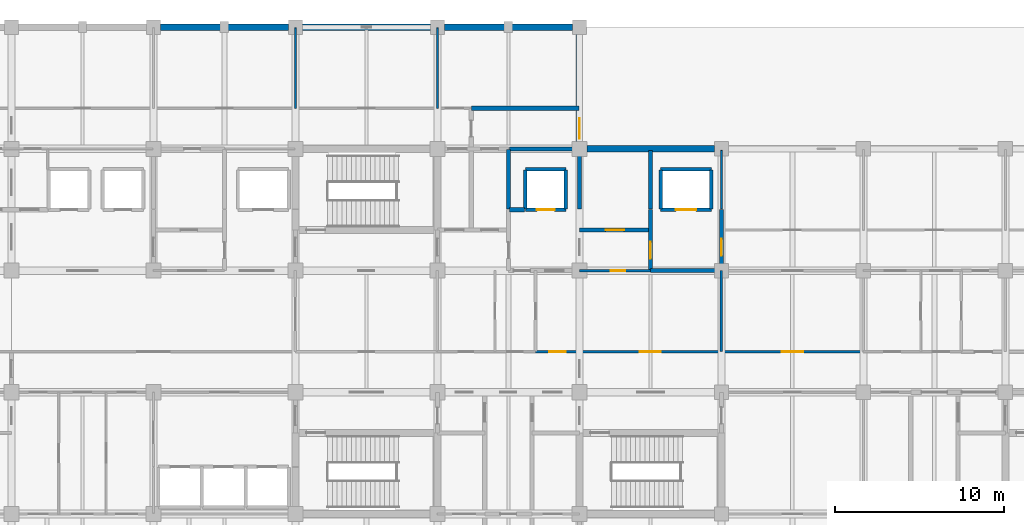
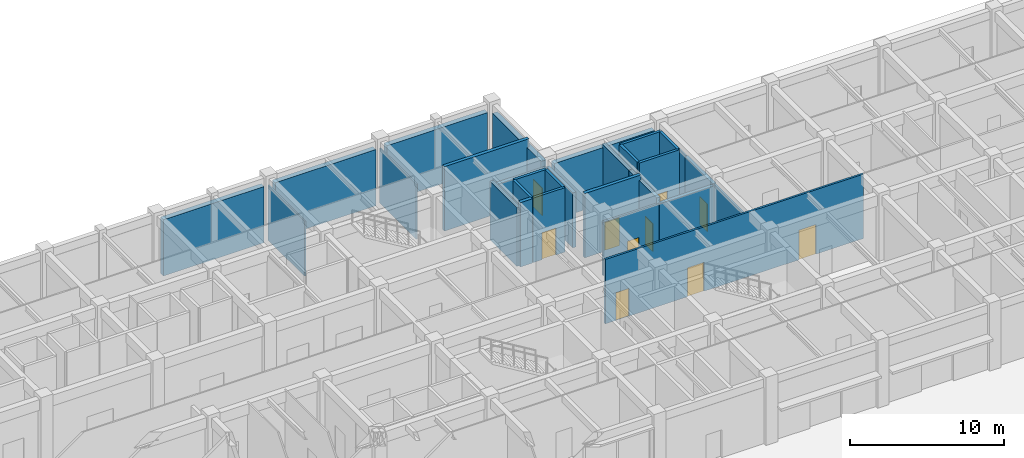
# One storey, part 53 of 73: 29 walls, 10 doors, 10 openings.
"""IFC4 building model written with IfcOpenShell, lengths in metres."""

from ifc_helpers import new_model, si_unit, direction, frame, frame_2d, origin, place, context, subcontext, project, spatial, rectangle, extrude, material, layer, layer_set, type_object, element, fill, save


model = new_model("IFC4")

# Units and contexts
model_context = context("Model", 3, precision=1e-05, world=origin(), true_north=direction((0.0, 1.0)))
body_context = subcontext(model_context, "Body", "Model", "MODEL_VIEW")
ifc_project = project(units=[si_unit("LENGTHUNIT", "METRE"), si_unit("AREAUNIT", "SQUARE_METRE"), si_unit("VOLUMEUNIT", "CUBIC_METRE"), si_unit("PLANEANGLEUNIT", "RADIAN"), si_unit("MASSUNIT", "GRAM", prefix="KILO")], contexts=[model_context])

# Site, building, storey
site_placement = place(None, origin())
site = spatial("IfcSite", under=ifc_project, at=site_placement, CompositionType="ELEMENT")
building_placement = place(site_placement, origin())
building = spatial("IfcBuilding", under=site, at=building_placement, Name="Chengyuan Square Courthouse", CompositionType="ELEMENT")
storey_placement = place(building_placement, origin())
storey = spatial("IfcBuildingStorey", under=building, at=storey_placement, Name="L01", CompositionType="ELEMENT", Elevation=0.0)

# Walls
ifc_material_1 = material(Name="Concrete C40", Category="concrete")
ifc_layer_1 = layer(ifc_material_1, 0.3798828125)
ifc_layer_set_1 = layer_set([ifc_layer_1], Name="Concrete C40")
wall_type_1 = type_object("IfcWallType", Name="WL-EW1", PredefinedType="STANDARD", material=ifc_layer_set_1)
wall_1_placement = place(storey_placement, frame((92.820068359375, 115.199951171875, 0.0), z_axis=(0.0, 0.0, 1.0), x_axis=(1.0, 0.0, 0.0)))
element("IfcWall", 1, at=wall_1_placement, inside=storey, type_object=wall_type_1, Name="Exterior Wall WL-L01-E178", PredefinedType="STANDARD", context=body_context, shape_type="SweptSolid", body=[
    extrude(rectangle(XDim=7.559814453125, YDim=0.3798828125, at=frame_2d((3.77978515625, 0.0))), origin(), (0.0, 0.0, 1.0), 4.469970703125),
])
wall_2_placement = place(storey_placement, frame((101.219970703125, 115.199951171875, 0.0), z_axis=(0.0, 0.0, 1.0), x_axis=(1.0, 0.0, 0.0)))
element("IfcWall", 2, at=wall_2_placement, inside=storey, type_object=wall_type_1, Name="Exterior Wall WL-L01-E179", PredefinedType="STANDARD", context=body_context, shape_type="SweptSolid", body=[
    extrude(rectangle(XDim=7.56005859375, YDim=0.3798828125, at=frame_2d((3.780029296875, 0.0))), origin(), (0.0, 0.0, 1.0), 4.469970703125),
])
wall_3_placement = place(storey_placement, frame((109.6201171875, 115.199951171875, 0.0), z_axis=(0.0, 0.0, 1.0), x_axis=(1.0, 0.0, 0.0)))
element("IfcWall", 3, at=wall_3_placement, inside=storey, type_object=wall_type_1, Name="Exterior Wall WL-L01-E181", PredefinedType="STANDARD", context=body_context, shape_type="SweptSolid", body=[
    extrude(rectangle(XDim=7.559814453125, YDim=0.3798828125, at=frame_2d((3.77978515625, 0.0))), origin(), (0.0, 0.0, 1.0), 4.469970703125),
])

# Wall, opening, door
wall_4_placement = place(storey_placement, frame((117.60009765625, 108.445068359375, 0.0), z_axis=(0.0, 0.0, 1.0), x_axis=(0.0, 1.0, 0.0)))
wall_4 = element("IfcWall", 4, at=wall_4_placement, inside=storey, type_object=wall_type_1, Name="Exterior Wall WL-L01-E182", PredefinedType="STANDARD", context=body_context, shape_type="SweptSolid", body=[
    extrude(rectangle(XDim=6.3349609375, YDim=0.3798828125, at=frame_2d((3.16748046875, 0.0))), origin(), (0.0, 0.0, 1.0), 4.469970703125),
])
opening_1_placement = place(wall_4_placement, frame((0.155029296875, 0.0, 0.0)))
opening_1 = element("IfcOpeningElement", 5, at=opening_1_placement, cuts=wall_4, Name="Opening E-24", PredefinedType="OPENING", context=body_context, shape_type="SweptSolid", body=[
    extrude(rectangle(XDim=1.199951171875, YDim=2.199951171875, at=frame_2d((0.60009765625, 1.10009765625))), frame((0.0, 0.201904296875, 0.0), z_axis=(0.0, -1.0, 0.0), x_axis=(1.0, 0.0, 0.0)), (0.0, 0.0, 1.0), 0.40380859375),
])
ifc_material_2 = material(Name="Steel Q235B Fire Exit Door", Category="steel")
door_type_1 = type_object("IfcDoorType", Name="DT-03", OperationType="NOTDEFINED", PredefinedType="DOOR", material=ifc_material_2)
door_1_placement = place(opening_1_placement, frame((1.199951171875, 0.0, 0.0), z_axis=(0.0, 0.0, 1.0), x_axis=(-1.0, 0.0, 0.0)))
door_1 = element("IfcDoor", 6, at=door_1_placement, inside=storey, type_object=door_type_1, Name="Protected Stair Exit Discharge Door E-24", OperationType="SINGLE_SWING_RIGHT", OverallHeight=2.199951171875, OverallWidth=1.199951171875, PredefinedType="DOOR", context=body_context, shape_type="SweptSolid", body=[
    extrude(rectangle(XDim=1.199951171875, YDim=2.199951171875, at=frame_2d((0.60009765625, 1.10009765625))), frame((0.0, 0.02490234375, 0.0), z_axis=(0.0, -1.0, 0.0), x_axis=(1.0, 0.0, 0.0)), (0.0, 0.0, 1.0), 0.050048828125),
])
fill(opening_1, door_1)

# Walls
wall_5_placement = place(storey_placement, frame((118.044921875, 108.0, 0.0), z_axis=(0.0, 0.0, 1.0), x_axis=(1.0, 0.0, 0.0)))
element("IfcWall", 7, at=wall_5_placement, inside=storey, type_object=wall_type_1, Name="Exterior Wall WL-L01-E184", PredefinedType="STANDARD", context=body_context, shape_type="SweptSolid", body=[
    extrude(rectangle(XDim=7.53515625, YDim=0.3798828125, at=frame_2d((3.767578125, 0.0))), origin(), (0.0, 0.0, 1.0), 4.469970703125),
])
ifc_layer_2 = layer(ifc_material_1, 0.25)
ifc_layer_set_2 = layer_set([ifc_layer_2], Name="Concrete C40")
wall_type_2 = type_object("IfcWallType", Name="WL-FW1", PredefinedType="STANDARD", material=ifc_layer_set_2)
wall_6_placement = place(storey_placement, frame((121.800048828125, 100.800048828125, 0.0), z_axis=(0.0, 0.0, 1.0), x_axis=(1.0, 0.0, 0.0)))
element("IfcWall", 8, at=wall_6_placement, inside=storey, type_object=wall_type_2, Name="Interior Wall WL-L01-I764", PredefinedType="STANDARD", context=body_context, shape_type="SweptSolid", body=[
    extrude(rectangle(XDim=4.199951171875, YDim=0.25, at=frame_2d((2.10009765625, 0.0))), origin(), (0.0, 0.0, 1.0), 4.27001953125),
])

# Wall, opening, door
wall_7_placement = place(storey_placement, frame((117.60009765625, 103.199951171875, 0.0), z_axis=(0.0, 0.0, 1.0), x_axis=(1.0, 0.0, 0.0)))
wall_7 = element("IfcWall", 9, at=wall_7_placement, inside=storey, type_object=wall_type_2, Name="Interior Wall WL-L01-I779", PredefinedType="STANDARD", context=body_context, shape_type="SweptSolid", body=[
    extrude(rectangle(XDim=4.199951171875, YDim=0.25, at=frame_2d((2.10009765625, 0.0))), origin(), (0.0, 0.0, 1.0), 5.1201171875),
])
opening_2_placement = place(wall_7_placement, frame((1.550048828125, 0.0, 0.0)))
opening_2 = element("IfcOpeningElement", 10, at=opening_2_placement, cuts=wall_7, Name="Opening DR-728", PredefinedType="OPENING", context=body_context, shape_type="SweptSolid", body=[
    extrude(rectangle(XDim=1.10009765625, YDim=2.199951171875, at=frame_2d((0.550048828125, 1.10009765625))), frame((0.0, 0.136962890625, 0.0), z_axis=(0.0, -1.0, 0.0), x_axis=(1.0, 0.0, 0.0)), (0.0, 0.0, 1.0), 0.27392578125),
])
ifc_material_3 = material(Name="Steel Q235B Fire Door", Category="steel")
door_type_2 = type_object("IfcDoorType", Name="DT-10", OperationType="NOTDEFINED", PredefinedType="DOOR", material=ifc_material_3)
door_2_placement = place(opening_2_placement, origin())
door_2 = element("IfcDoor", 11, at=door_2_placement, inside=storey, type_object=door_type_2, Name="Interior Door DR-728", OperationType="SINGLE_SWING_LEFT", OverallHeight=2.199951171875, OverallWidth=1.10009765625, PredefinedType="DOOR", context=body_context, shape_type="SweptSolid", body=[
    extrude(rectangle(XDim=1.10009765625, YDim=2.199951171875, at=frame_2d((0.550048828125, 1.10009765625))), frame((0.0, 0.02490234375, 0.0), z_axis=(0.0, -1.0, 0.0), x_axis=(1.0, 0.0, 0.0)), (0.0, 0.0, 1.0), 0.050048828125),
])
fill(opening_2, door_2)

# Walls
wall_8_placement = place(storey_placement, frame((113.449951171875, 104.39990234375, 0.0), z_axis=(0.0, 0.0, 1.0), x_axis=(1.0, 0.0, 0.0)))
element("IfcWall", 12, at=wall_8_placement, inside=storey, type_object=wall_type_2, Name="Interior Wall WL-L01-I791", PredefinedType="STANDARD", context=body_context, shape_type="SweptSolid", body=[
    extrude(rectangle(XDim=0.900146484375, YDim=0.25, at=frame_2d((0.4501953125, 0.0))), origin(), (0.0, 0.0, 1.0), 5.1201171875),
])
wall_9_placement = place(storey_placement, frame((113.449951171875, 108.0, 0.0), z_axis=(0.0, 0.0, 1.0), x_axis=(1.0, 0.0, 0.0)))
element("IfcWall", 13, at=wall_9_placement, inside=storey, type_object=wall_type_2, Name="Interior Wall WL-L01-I816", PredefinedType="STANDARD", context=body_context, shape_type="SweptSolid", body=[
    extrude(rectangle(XDim=4.06005859375, YDim=0.25, at=frame_2d((2.030029296875, 0.0))), origin(), (0.0, 0.0, 1.0), 4.27001953125),
])
wall_10_placement = place(storey_placement, frame((111.199951171875, 110.39990234375, 0.0), z_axis=(0.0, 0.0, 1.0), x_axis=(1.0, 0.0, 0.0)))
element("IfcWall", 14, at=wall_10_placement, inside=storey, type_object=wall_type_2, Name="Interior Wall WL-L01-I819", PredefinedType="STANDARD", context=body_context, shape_type="SweptSolid", body=[
    extrude(rectangle(XDim=6.360107421875, YDim=0.25, at=frame_2d((3.18017578125, 0.0))), origin(), (0.0, 0.0, 1.0), 5.1201171875),
])
wall_11_placement = place(storey_placement, frame((113.39990234375, 104.449951171875, 0.0), z_axis=(0.0, 0.0, 1.0), x_axis=(0.0, 1.0, 0.0)))
element("IfcWall", 15, at=wall_11_placement, inside=storey, type_object=wall_type_2, Name="Interior Wall WL-L01-I957", PredefinedType="STANDARD", context=body_context, shape_type="SweptSolid", body=[
    extrude(rectangle(XDim=3.5, YDim=0.25, at=frame_2d((1.75, 0.0))), origin(), (0.0, 0.0, 1.0), 4.669921875),
])
wall_12_placement = place(storey_placement, frame((117.60009765625, 104.449951171875, 0.0), z_axis=(0.0, 0.0, 1.0), x_axis=(0.0, 1.0, 0.0)))
element("IfcWall", 16, at=wall_12_placement, inside=storey, type_object=wall_type_2, Name="Interior Wall WL-L01-I965", PredefinedType="STANDARD", context=body_context, shape_type="SweptSolid", body=[
    extrude(rectangle(XDim=3.4599609375, YDim=0.25, at=frame_2d((1.72998046875, 0.0))), origin(), (0.0, 0.0, 1.0), 4.3701171875),
])

# Wall, opening, door
wall_13_placement = place(storey_placement, frame((121.800048828125, 100.800048828125, 0.0), z_axis=(0.0, 0.0, 1.0), x_axis=(0.0, 1.0, 0.0)))
wall_13 = element("IfcWall", 17, at=wall_13_placement, inside=storey, type_object=wall_type_2, Name="Interior Wall WL-L01-I966", PredefinedType="STANDARD", context=body_context, shape_type="SweptSolid", body=[
    extrude(rectangle(XDim=3.599853515625, YDim=0.25, at=frame_2d((1.7998046875, 0.0))), origin(), (0.0, 0.0, 1.0), 4.719970703125),
])
opening_3_placement = place(wall_13_placement, frame((0.699951171875, 0.0, 0.0)))
opening_3 = element("IfcOpeningElement", 18, at=opening_3_placement, cuts=wall_13, Name="Opening DR-729", PredefinedType="OPENING", context=body_context, shape_type="SweptSolid", body=[
    extrude(rectangle(XDim=1.0, YDim=2.199951171875, at=frame_2d((0.5, 1.10009765625))), frame((0.0, 0.136962890625, 0.0), z_axis=(0.0, -1.0, 0.0), x_axis=(1.0, 0.0, 0.0)), (0.0, 0.0, 1.0), 0.27392578125),
])
door_type_3 = type_object("IfcDoorType", Name="DT-11", OperationType="NOTDEFINED", PredefinedType="DOOR", material=ifc_material_3)
door_3_placement = place(opening_3_placement, origin())
door_3 = element("IfcDoor", 19, at=door_3_placement, inside=storey, type_object=door_type_3, Name="Interior Door DR-729", OperationType="SINGLE_SWING_RIGHT", OverallHeight=2.199951171875, OverallWidth=1.0, PredefinedType="DOOR", context=body_context, shape_type="SweptSolid", body=[
    extrude(rectangle(XDim=1.0, YDim=2.199951171875, at=frame_2d((0.5, 1.10009765625))), frame((0.0, 0.02490234375, 0.0), z_axis=(0.0, -1.0, 0.0), x_axis=(1.0, 0.0, 0.0)), (0.0, 0.0, 1.0), 0.050048828125),
])
fill(opening_3, door_3)

# Wall
wall_14_placement = place(storey_placement, frame((121.800048828125, 104.449951171875, 0.0), z_axis=(0.0, 0.0, 1.0), x_axis=(0.0, 1.0, 0.0)))
element("IfcWall", 20, at=wall_14_placement, inside=storey, type_object=wall_type_2, Name="Interior Wall WL-L01-I967", PredefinedType="STANDARD", context=body_context, shape_type="SweptSolid", body=[
    extrude(rectangle(XDim=3.4599609375, YDim=0.25, at=frame_2d((1.72998046875, 0.0))), origin(), (0.0, 0.0, 1.0), 4.719970703125),
])

# Wall, opening, door
wall_15_placement = place(storey_placement, frame((126.0, 100.800048828125, 0.0), z_axis=(0.0, 0.0, 1.0), x_axis=(0.0, 1.0, 0.0)))
wall_15 = element("IfcWall", 21, at=wall_15_placement, inside=storey, type_object=wall_type_2, Name="Interior Wall WL-L01-I973", PredefinedType="STANDARD", context=body_context, shape_type="SweptSolid", body=[
    extrude(rectangle(XDim=3.599853515625, YDim=0.25, at=frame_2d((1.7998046875, 0.0))), origin(), (0.0, 0.0, 1.0), 4.3701171875),
])
opening_4_placement = place(wall_15_placement, frame((0.87255859375, 0.0, 0.0)))
opening_4 = element("IfcOpeningElement", 22, at=opening_4_placement, cuts=wall_15, Name="Opening DR-732", PredefinedType="OPENING", context=body_context, shape_type="SweptSolid", body=[
    extrude(rectangle(XDim=1.0, YDim=2.199951171875, at=frame_2d((0.5, 1.10009765625))), frame((0.0, 0.136962890625, 0.0), z_axis=(0.0, -1.0, 0.0), x_axis=(1.0, 0.0, 0.0)), (0.0, 0.0, 1.0), 0.27392578125),
])
door_4_placement = place(opening_4_placement, origin())
door_4 = element("IfcDoor", 23, at=door_4_placement, inside=storey, type_object=door_type_3, Name="Interior Door DR-732", OperationType="SINGLE_SWING_LEFT", OverallHeight=2.199951171875, OverallWidth=1.0, PredefinedType="DOOR", context=body_context, shape_type="SweptSolid", body=[
    extrude(rectangle(XDim=1.0, YDim=2.199951171875, at=frame_2d((0.5, 1.10009765625))), frame((0.0, 0.02490234375, 0.0), z_axis=(0.0, -1.0, 0.0), x_axis=(1.0, 0.0, 0.0)), (0.0, 0.0, 1.0), 0.050048828125),
])
fill(opening_4, door_4)

# Wall, openings, doors
ifc_material_4 = material(Name="Deliberation Room Sound-Insulated Partition")
ifc_layer_3 = layer(ifc_material_4, 0.14990234375)
ifc_layer_set_3 = layer_set([ifc_layer_3], Name="Deliberation Room Sound-Insulated Partition")
wall_type_3 = type_object("IfcWallType", Name="WL-PT3", PredefinedType="STANDARD", material=ifc_layer_set_3)
wall_16_placement = place(storey_placement, frame((115.0, 96.0, 0.0), z_axis=(0.0, 0.0, 1.0), x_axis=(1.0, 0.0, 0.0)))
wall_16 = element("IfcWall", 24, at=wall_16_placement, inside=storey, type_object=wall_type_3, Name="Interior Wall WL-L01-I744", PredefinedType="STANDARD", context=body_context, shape_type="SweptSolid", body=[
    extrude(rectangle(XDim=19.39990234375, YDim=0.14990234375, at=frame_2d((9.699951171875, 0.0))), origin(), (0.0, 0.0, 1.0), 5.1201171875),
])
opening_5_placement = place(wall_16_placement, frame((0.820068359375, 0.0, 0.0)))
opening_5 = element("IfcOpeningElement", 25, at=opening_5_placement, cuts=wall_16, Name="Opening DR-818", PredefinedType="OPENING", context=body_context, shape_type="SweptSolid", body=[
    extrude(rectangle(XDim=0.9599609375, YDim=2.199951171875, at=frame_2d((0.47998046875, 1.10009765625))), frame((0.0, 0.0869140625, 0.0), z_axis=(0.0, -1.0, 0.0), x_axis=(1.0, 0.0, 0.0)), (0.0, 0.0, 1.0), 0.173828125),
])
opening_6_placement = place(wall_16_placement, frame((6.179931640625, 0.0, 0.0)))
opening_6 = element("IfcOpeningElement", 26, at=opening_6_placement, cuts=wall_16, Name="Opening DR-825", PredefinedType="OPENING", context=body_context, shape_type="SweptSolid", body=[
    extrude(rectangle(XDim=1.239990234375, YDim=2.300048828125, at=frame_2d((0.6201171875, 1.14990234375))), frame((0.0, 0.0869140625, 0.0), z_axis=(0.0, -1.0, 0.0), x_axis=(1.0, 0.0, 0.0)), (0.0, 0.0, 1.0), 0.173828125),
])
opening_7_placement = place(wall_16_placement, frame((14.56005859375, 0.0, 0.0)))
opening_7 = element("IfcOpeningElement", 27, at=opening_7_placement, cuts=wall_16, Name="Opening DR-826", PredefinedType="OPENING", context=body_context, shape_type="SweptSolid", body=[
    extrude(rectangle(XDim=1.280029296875, YDim=2.35009765625, at=frame_2d((0.64013671875, 1.175048828125))), frame((0.0, 0.0869140625, 0.0), z_axis=(0.0, -1.0, 0.0), x_axis=(1.0, 0.0, 0.0)), (0.0, 0.0, 1.0), 0.173828125),
])
ifc_material_5 = material(Name="Acoustic Solid-Core Timber Door", Category="wood")
door_type_4 = type_object("IfcDoorType", Name="DT-30", OperationType="NOTDEFINED", PredefinedType="DOOR", material=ifc_material_5)
door_5_placement = place(opening_5_placement, origin())
door_5 = element("IfcDoor", 28, at=door_5_placement, inside=storey, type_object=door_type_4, Name="Interior Door DR-818", OperationType="SINGLE_SWING_LEFT", OverallHeight=2.199951171875, OverallWidth=0.9599609375, PredefinedType="DOOR", context=body_context, shape_type="SweptSolid", body=[
    extrude(rectangle(XDim=0.9599609375, YDim=2.199951171875, at=frame_2d((0.47998046875, 1.10009765625))), frame((0.0, 0.02490234375, 0.0), z_axis=(0.0, -1.0, 0.0), x_axis=(1.0, 0.0, 0.0)), (0.0, 0.0, 1.0), 0.050048828125),
])
fill(opening_5, door_5)
door_type_5 = type_object("IfcDoorType", Name="DT-37", OperationType="NOTDEFINED", PredefinedType="DOOR", material=ifc_material_5)
door_6_placement = place(opening_6_placement, origin())
door_6 = element("IfcDoor", 29, at=door_6_placement, inside=storey, type_object=door_type_5, Name="Interior Door DR-825", OperationType="SINGLE_SWING_RIGHT", OverallHeight=2.300048828125, OverallWidth=1.239990234375, PredefinedType="DOOR", context=body_context, shape_type="SweptSolid", body=[
    extrude(rectangle(XDim=1.239990234375, YDim=2.300048828125, at=frame_2d((0.6201171875, 1.14990234375))), frame((0.0, 0.02490234375, 0.0), z_axis=(0.0, -1.0, 0.0), x_axis=(1.0, 0.0, 0.0)), (0.0, 0.0, 1.0), 0.050048828125),
])
fill(opening_6, door_6)
door_type_6 = type_object("IfcDoorType", Name="DT-38", OperationType="NOTDEFINED", PredefinedType="DOOR", material=ifc_material_5)
door_7_placement = place(opening_7_placement, origin())
door_7 = element("IfcDoor", 30, at=door_7_placement, inside=storey, type_object=door_type_6, Name="Interior Door DR-826", OperationType="SINGLE_SWING_LEFT", OverallHeight=2.35009765625, OverallWidth=1.280029296875, PredefinedType="DOOR", context=body_context, shape_type="SweptSolid", body=[
    extrude(rectangle(XDim=1.280029296875, YDim=2.35009765625, at=frame_2d((0.64013671875, 1.175048828125))), frame((0.0, 0.02490234375, 0.0), z_axis=(0.0, -1.0, 0.0), x_axis=(1.0, 0.0, 0.0)), (0.0, 0.0, 1.0), 0.050048828125),
])
fill(opening_7, door_7)

# Wall, opening, door
wall_17_placement = place(storey_placement, frame((117.60009765625, 100.800048828125, 0.0), z_axis=(0.0, 0.0, 1.0), x_axis=(1.0, 0.0, 0.0)))
wall_17 = element("IfcWall", 31, at=wall_17_placement, inside=storey, type_object=wall_type_3, Name="Interior Wall WL-L01-I763", PredefinedType="STANDARD", context=body_context, shape_type="SweptSolid", body=[
    extrude(rectangle(XDim=4.199951171875, YDim=0.14990234375, at=frame_2d((2.10009765625, 0.0))), origin(), (0.0, 0.0, 1.0), 4.27001953125),
])
opening_8_placement = place(wall_17_placement, frame((1.85498046875, 0.0, 0.0)))
opening_8 = element("IfcOpeningElement", 32, at=opening_8_placement, cuts=wall_17, Name="Opening DR-731", PredefinedType="OPENING", context=body_context, shape_type="SweptSolid", body=[
    extrude(rectangle(XDim=0.860107421875, YDim=2.10009765625, at=frame_2d((0.43017578125, 1.050048828125))), frame((0.0, 0.0869140625, 0.0), z_axis=(0.0, -1.0, 0.0), x_axis=(1.0, 0.0, 0.0)), (0.0, 0.0, 1.0), 0.173828125),
])
door_type_7 = type_object("IfcDoorType", Name="DT-28", OperationType="NOTDEFINED", PredefinedType="DOOR", material=ifc_material_5)
door_8_placement = place(opening_8_placement, origin())
door_8 = element("IfcDoor", 33, at=door_8_placement, inside=storey, type_object=door_type_7, Name="Interior Door DR-731", OperationType="SINGLE_SWING_RIGHT", OverallHeight=2.10009765625, OverallWidth=0.860107421875, PredefinedType="DOOR", context=body_context, shape_type="SweptSolid", body=[
    extrude(rectangle(XDim=0.860107421875, YDim=2.10009765625, at=frame_2d((0.43017578125, 1.050048828125))), frame((0.0, 0.02490234375, 0.0), z_axis=(0.0, -1.0, 0.0), x_axis=(1.0, 0.0, 0.0)), (0.0, 0.0, 1.0), 0.050048828125),
])
fill(opening_8, door_8)

# Walls
wall_18_placement = place(storey_placement, frame((126.0, 96.0, 0.0), z_axis=(0.0, 0.0, 1.0), x_axis=(0.0, 1.0, 0.0)))
element("IfcWall", 34, at=wall_18_placement, inside=storey, type_object=wall_type_3, Name="Interior Wall WL-L01-I972", PredefinedType="STANDARD", context=body_context, shape_type="SweptSolid", body=[
    extrude(rectangle(XDim=4.800048828125, YDim=0.14990234375, at=frame_2d((2.39990234375, 0.0))), origin(), (0.0, 0.0, 1.0), 4.3701171875),
])
ifc_material_6 = material(Name="Gypsum Plasterboard Acoustic Stud Partition")
ifc_layer_4 = layer(ifc_material_6, 0.10009765625)
ifc_layer_set_4 = layer_set([ifc_layer_4], Name="Gypsum Plasterboard Acoustic Stud Partition")
wall_type_4 = type_object("IfcWallType", Name="WL-PT6", PredefinedType="STANDARD", material=ifc_layer_set_4)
for number, where, z_axis, x_axis, name in (
    (35, (100.800048828125, 110.39990234375, 0.0), (0.0, 0.0, 1.0), (0.0, 1.0, 0.0), "Interior Wall WL-L01-I945"),
    (36, (109.199951171875, 110.39990234375, 0.0), (0.0, 0.0, 1.0), (0.0, 1.0, 0.0), "Interior Wall WL-L01-I952"),
):
    element("IfcWall", number, at=place(storey_placement, frame(where, z_axis=z_axis, x_axis=x_axis)), inside=storey, type_object=wall_type_4, Name=name, PredefinedType="STANDARD", context=body_context, shape_type="SweptSolid", body=[
        extrude(rectangle(XDim=4.760009765625, YDim=0.10009765625, at=frame_2d((2.3798828125, 0.0))), origin(), (0.0, 0.0, 1.0), 4.3701171875),
    ])
wall_19_placement = place(storey_placement, frame((126.0, 104.449951171875, 0.0), z_axis=(0.0, 0.0, 1.0), x_axis=(0.0, 1.0, 0.0)))
element("IfcWall", 37, at=wall_19_placement, inside=storey, type_object=wall_type_4, Name="Interior Wall WL-L01-I974", PredefinedType="STANDARD", context=body_context, shape_type="SweptSolid", body=[
    extrude(rectangle(XDim=3.4599609375, YDim=0.10009765625, at=frame_2d((1.72998046875, 0.0))), origin(), (0.0, 0.0, 1.0), 4.3701171875),
])

# Wall, opening, door
ifc_material_7 = material(Name="Reinforced Masonry Shaft Enclosure", Category="masonry")
ifc_layer_5 = layer(ifc_material_7, 0.199951171875)
ifc_layer_set_5 = layer_set([ifc_layer_5], Name="Reinforced Masonry Shaft Enclosure")
wall_type_5 = type_object("IfcWallType", Name="WL-SH1", PredefinedType="STANDARD", material=ifc_layer_set_5)
wall_20_placement = place(storey_placement, frame((114.39990234375, 104.39990234375, 0.0), z_axis=(0.0, 0.0, 1.0), x_axis=(1.0, 0.0, 0.0)))
wall_20 = element("IfcWall", 38, at=wall_20_placement, inside=storey, type_object=wall_type_5, Name="Interior Wall WL-L01-I792", PredefinedType="STANDARD", context=body_context, shape_type="SweptSolid", body=[
    extrude(rectangle(XDim=2.400146484375, YDim=0.199951171875, at=frame_2d((1.2001953125, 0.0))), origin(), (0.0, 0.0, 1.0), 5.1201171875),
])
opening_9_placement = place(wall_20_placement, frame((0.675048828125, 0.0, 0.0)))
opening_9 = element("IfcOpeningElement", 39, at=opening_9_placement, cuts=wall_20, Name="Opening LD-036", PredefinedType="OPENING", context=body_context, shape_type="SweptSolid", body=[
    extrude(rectangle(XDim=1.050048828125, YDim=2.14990234375, at=frame_2d((0.52490234375, 1.074951171875))), frame((0.0, 0.112060546875, 0.0), z_axis=(0.0, -1.0, 0.0), x_axis=(1.0, 0.0, 0.0)), (0.0, 0.0, 1.0), 0.223876953125),
])
ifc_material_8 = material(Name="Stainless Steel S30408 Lift Landing Door", Category="steel")
door_type_8 = type_object("IfcDoorType", Name="DT-08", OperationType="DOUBLE_DOOR_SLIDING", PredefinedType="DOOR", material=ifc_material_8)
door_9_placement = place(opening_9_placement, origin())
door_9 = element("IfcDoor", 40, at=door_9_placement, inside=storey, type_object=door_type_8, Name="Lift Landing Door LF-C2 L01", OperationType="DOUBLE_DOOR_SLIDING", OverallHeight=2.14990234375, OverallWidth=1.050048828125, PredefinedType="DOOR", context=body_context, shape_type="SweptSolid", body=[
    extrude(rectangle(XDim=1.050048828125, YDim=2.14990234375, at=frame_2d((0.52490234375, 1.074951171875))), frame((0.0, 0.02490234375, 0.0), z_axis=(0.0, -1.0, 0.0), x_axis=(1.0, 0.0, 0.0)), (0.0, 0.0, 1.0), 0.050048828125),
])
fill(opening_9, door_9)

wall_21_placement = place(storey_placement, frame((122.39990234375, 104.39990234375, 0.0), z_axis=(0.0, 0.0, 1.0), x_axis=(1.0, 0.0, 0.0)))
wall_21 = element("IfcWall", 41, at=wall_21_placement, inside=storey, type_object=wall_type_5, Name="Interior Wall WL-L01-I793", PredefinedType="STANDARD", context=body_context, shape_type="SweptSolid", body=[
    extrude(rectangle(XDim=3.0, YDim=0.199951171875, at=frame_2d((1.5, 0.0))), origin(), (0.0, 0.0, 1.0), 5.1201171875),
])
opening_10_placement = place(wall_21_placement, frame((0.89990234375, 0.0, 0.0)))
opening_10 = element("IfcOpeningElement", 42, at=opening_10_placement, cuts=wall_21, Name="Opening LD-024", PredefinedType="OPENING", context=body_context, shape_type="SweptSolid", body=[
    extrude(rectangle(XDim=1.199951171875, YDim=2.14990234375, at=frame_2d((0.60009765625, 1.074951171875))), frame((0.0, 0.112060546875, 0.0), z_axis=(0.0, -1.0, 0.0), x_axis=(1.0, 0.0, 0.0)), (0.0, 0.0, 1.0), 0.223876953125),
])
door_type_9 = type_object("IfcDoorType", Name="DT-05", OperationType="DOUBLE_DOOR_SLIDING", PredefinedType="DOOR", material=ifc_material_8)
door_10_placement = place(opening_10_placement, origin())
door_10 = element("IfcDoor", 43, at=door_10_placement, inside=storey, type_object=door_type_9, Name="Lift Landing Door LF-F4 L01", OperationType="DOUBLE_DOOR_SLIDING", OverallHeight=2.14990234375, OverallWidth=1.199951171875, PredefinedType="DOOR", context=body_context, shape_type="SweptSolid", body=[
    extrude(rectangle(XDim=1.199951171875, YDim=2.14990234375, at=frame_2d((0.60009765625, 1.074951171875))), frame((0.0, 0.02490234375, 0.0), z_axis=(0.0, -1.0, 0.0), x_axis=(1.0, 0.0, 0.0)), (0.0, 0.0, 1.0), 0.050048828125),
])
fill(opening_10, door_10)

# Walls
wall_22_placement = place(storey_placement, frame((114.39990234375, 106.800048828125, 0.0), z_axis=(0.0, 0.0, 1.0), x_axis=(1.0, 0.0, 0.0)))
element("IfcWall", 44, at=wall_22_placement, inside=storey, type_object=wall_type_5, Name="Interior Wall WL-L01-I802", PredefinedType="STANDARD", context=body_context, shape_type="SweptSolid", body=[
    extrude(rectangle(XDim=2.400146484375, YDim=0.199951171875, at=frame_2d((1.2001953125, 0.0))), origin(), (0.0, 0.0, 1.0), 5.1201171875),
])
wall_23_placement = place(storey_placement, frame((122.39990234375, 106.800048828125, 0.0), z_axis=(0.0, 0.0, 1.0), x_axis=(1.0, 0.0, 0.0)))
element("IfcWall", 45, at=wall_23_placement, inside=storey, type_object=wall_type_5, Name="Interior Wall WL-L01-I803", PredefinedType="STANDARD", context=body_context, shape_type="SweptSolid", body=[
    extrude(rectangle(XDim=3.0, YDim=0.199951171875, at=frame_2d((1.5, 0.0))), origin(), (0.0, 0.0, 1.0), 5.1201171875),
])
for number, where, z_axis, x_axis, name in (
    (46, (114.39990234375, 104.449951171875, 0.0), (0.0, 0.0, 1.0), (0.0, 1.0, 0.0), "Interior Wall WL-L01-I958"),
    (47, (116.800048828125, 104.449951171875, 0.0), (0.0, 0.0, 1.0), (0.0, 1.0, 0.0), "Interior Wall WL-L01-I961"),
    (48, (122.39990234375, 104.449951171875, 0.0), (0.0, 0.0, 1.0), (0.0, 1.0, 0.0), "Interior Wall WL-L01-I968"),
    (49, (125.39990234375, 104.449951171875, 0.0), (0.0, 0.0, 1.0), (0.0, 1.0, 0.0), "Interior Wall WL-L01-I969"),
):
    element("IfcWall", number, at=place(storey_placement, frame(where, z_axis=z_axis, x_axis=x_axis)), inside=storey, type_object=wall_type_5, Name=name, PredefinedType="STANDARD", context=body_context, shape_type="SweptSolid", body=[
        extrude(rectangle(XDim=2.300048828125, YDim=0.199951171875, at=frame_2d((1.14990234375, 0.0))), origin(), (0.0, 0.0, 1.0), 5.1201171875),
    ])

save(model, "model.ifc")
